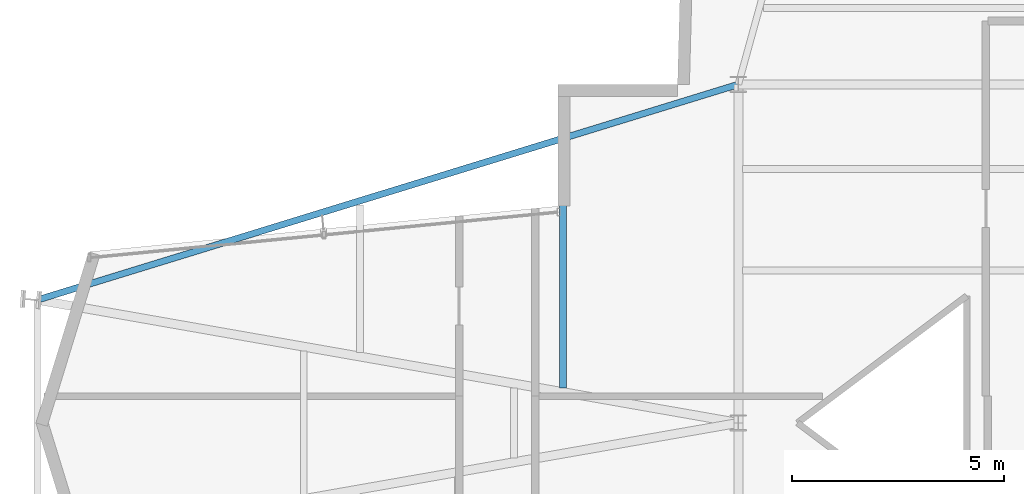
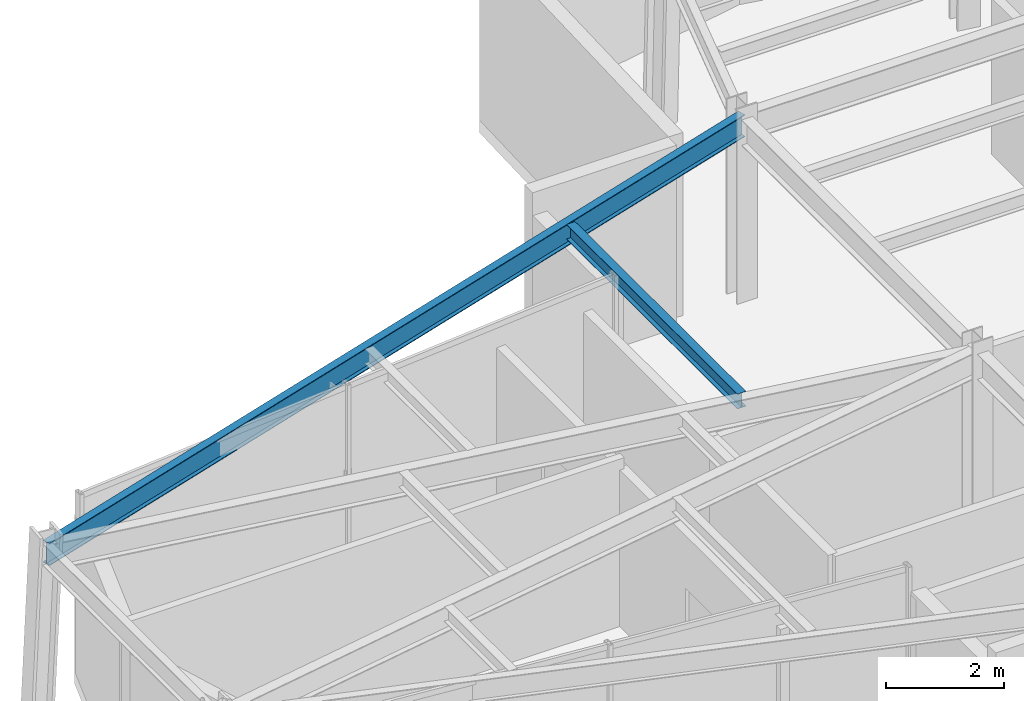
# One storey, part 9 of 20: 2 beams.
"""IFC4 building model written with IfcOpenShell, lengths in metres."""

from ifc_helpers import new_model, si_unit, direction, frame, origin, origin_2d, place, context, subcontext, project, spatial, i_section, extrude, material, material_profile, profile_set, type_object, element, save


model = new_model("IFC4")

# Units and contexts
model_context = context("Model", 3, precision=1e-05, world=origin(), true_north=direction((0.0, 1.0)))
body_context = subcontext(model_context, "Body", "Model", "MODEL_VIEW")
ifc_project = project(units=[si_unit("LENGTHUNIT", "METRE"), si_unit("AREAUNIT", "SQUARE_METRE"), si_unit("VOLUMEUNIT", "CUBIC_METRE"), si_unit("PLANEANGLEUNIT", "RADIAN"), si_unit("MASSUNIT", "GRAM", prefix="KILO")], contexts=[model_context])

# Site, building, storey
site_placement = place(None, origin())
site = spatial("IfcSite", under=ifc_project, at=site_placement, CompositionType="ELEMENT")
building_placement = place(site_placement, origin())
building = spatial("IfcBuilding", under=site, at=building_placement, Name="Veymaron Broadcast Tower", CompositionType="ELEMENT")
storey_placement = place(building_placement, frame((0.0, 0.0, 248.550048828125)))
storey = spatial("IfcBuildingStorey", under=building, at=storey_placement, Name="L58", CompositionType="ELEMENT", Elevation=248.550048828125)

# Beams
ifc_material = material(Name="Structural steel ASTM A992 Gr 50", Category="steel")
ifc_material_profile_1 = material_profile(ifc_material, i_section(OverallWidth=0.1650390625, OverallDepth=0.31005859375, WebThickness=0.005859375, FlangeThickness=0.009765625, at=origin_2d()), Name="W310X39")
ifc_profile_set_1 = profile_set([ifc_material_profile_1], Name="Structural steel ASTM A992 Gr 50")
beam_type_1 = type_object("IfcBeamType", Name="BM-JS3", PredefinedType="JOIST", material=ifc_profile_set_1)
beam_1_placement = place(storey_placement, frame((27.0576171875, 24.826416015625, 3.635009765625), z_axis=(0.0, 1.0, 0.0), x_axis=(-1.0, 0.0, 0.0)))
element("IfcBeam", 1, at=beam_1_placement, inside=storey, type_object=beam_type_1, Name="L58 Arm-A secondary joist 2N", PredefinedType="JOIST", context=body_context, shape_type="SweptSolid", body=[
    extrude(i_section(OverallWidth=0.1650390625, OverallDepth=0.31005859375, WebThickness=0.005859375, FlangeThickness=0.009765625, at=origin_2d()), origin(), (0.0, 0.0, 1.0), 5.7998046875),
])
ifc_material_profile_2 = material_profile(ifc_material, i_section(OverallWidth=0.154052734375, OverallDepth=0.458984375, WebThickness=0.009033203125, FlangeThickness=0.015380859375, at=origin_2d()), Name="W460X68")
ifc_profile_set_2 = profile_set([ifc_material_profile_2], Name="Structural steel ASTM A992 Gr 50")
beam_type_2 = type_object("IfcBeamType", Name="BM-SP2", PredefinedType="SPANDREL", material=ifc_profile_set_2)
beam_2_placement = place(storey_placement, frame((14.631103515625, 26.905029296875, 3.560546875), z_axis=(0.955829849363, 0.293920565914, 0.0), x_axis=(-0.293920565914, 0.955829849363, 0.0)))
element("IfcBeam", 2, at=beam_2_placement, inside=storey, type_object=beam_type_2, Name="L58 primary structural floor girder", PredefinedType="SPANDREL", context=body_context, shape_type="SweptSolid", body=[
    extrude(i_section(OverallWidth=0.154052734375, OverallDepth=0.458984375, WebThickness=0.009033203125, FlangeThickness=0.015380859375, at=origin_2d()), origin(), (0.0, 0.0, 1.0), 17.33447265625),
])

save(model, "model.ifc")
